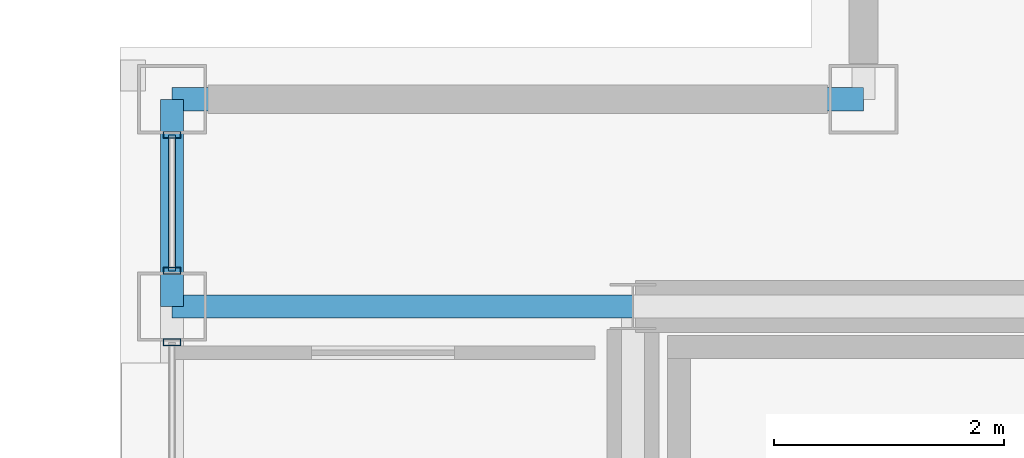
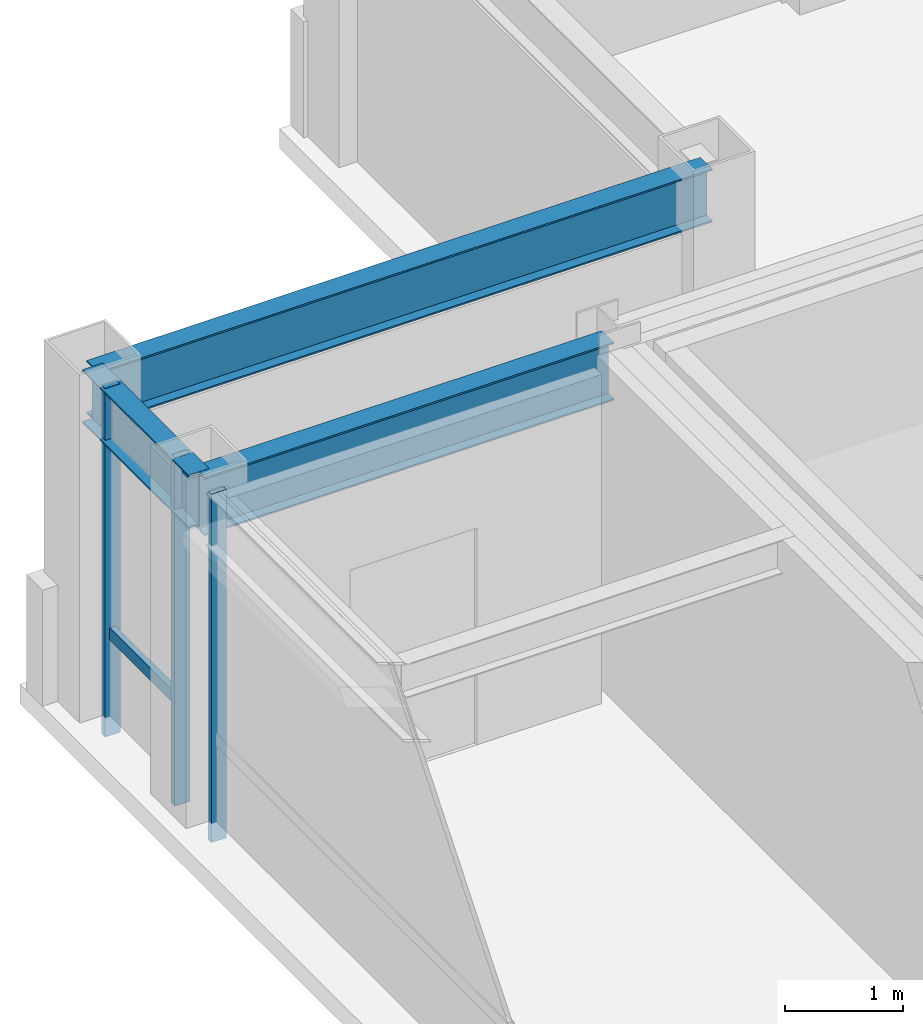
# One storey, part 11 of 24: 4 members, 3 beams, 2 elements without a shape of their own.
"""IFC4 building model written with IfcOpenShell, lengths in metres."""

from ifc_helpers import new_model, si_unit, direction, frame, origin, origin_2d, place, context, subcontext, project, spatial, hollow_rectangle, i_section, extrude, material, layer, layer_set, material_profile, profile_set, type_object, element, aggregate, save


model = new_model("IFC4")

# Units and contexts
model_context = context("Model", 3, precision=1e-05, world=origin(), true_north=direction((0.0, 1.0)))
body_context = subcontext(model_context, "Body", "Model", "MODEL_VIEW")
ifc_project = project(units=[si_unit("LENGTHUNIT", "METRE"), si_unit("AREAUNIT", "SQUARE_METRE"), si_unit("VOLUMEUNIT", "CUBIC_METRE"), si_unit("PLANEANGLEUNIT", "RADIAN"), si_unit("MASSUNIT", "GRAM", prefix="KILO")], contexts=[model_context])

# Site, building, storey
site_placement = place(None, origin())
site = spatial("IfcSite", under=ifc_project, at=site_placement, CompositionType="ELEMENT")
building_placement = place(site_placement, origin())
building = spatial("IfcBuilding", under=site, at=building_placement, Name="Brelmoor Portico Tower", CompositionType="ELEMENT")
storey_placement = place(building_placement, frame((0.0, 0.0, 261.60009765625)))
storey = spatial("IfcBuildingStorey", under=building, at=storey_placement, Name="L69", CompositionType="ELEMENT", Elevation=261.60009765625)

# Beams
ifc_material_1 = material(Name="Steel Q355B", Category="steel")
ifc_material_profile_1 = material_profile(ifc_material_1, i_section(OverallWidth=0.199951171875, OverallDepth=0.60009765625, WebThickness=0.010986328125, FlangeThickness=0.01708984375, at=origin_2d()), Name="HN 600x200x11x17")
ifc_profile_set_1 = profile_set([ifc_material_profile_1], Name="Steel Q355B")
beam_type_1 = type_object("IfcBeamType", Name="BM-PG-600", PredefinedType="BEAM", material=ifc_profile_set_1)
beam_1_placement = place(storey_placement, frame((-18.550048828125, 9.75, 3.099853515625), z_axis=(1.0, 0.0, 0.0), x_axis=(0.0, 1.0, 0.0)))
element("IfcBeam", 1, at=beam_1_placement, inside=storey, type_object=beam_type_1, Name="L69 Primary Floor Girder PG-19", PredefinedType="BEAM", context=body_context, shape_type="SweptSolid", body=[
    extrude(i_section(OverallWidth=0.199951171875, OverallDepth=0.60009765625, WebThickness=0.010986328125, FlangeThickness=0.01708984375, at=origin_2d()), origin(), (0.0, 0.0, 1.0), 4.0),
])
ifc_material_profile_2 = material_profile(ifc_material_1, i_section(OverallWidth=0.199951171875, OverallDepth=0.550048828125, WebThickness=0.010009765625, FlangeThickness=0.01611328125, at=origin_2d()), Name="HN 550x200x10x16")
ifc_profile_set_2 = profile_set([ifc_material_profile_2], Name="Steel Q355B")
beam_type_2 = type_object("IfcBeamType", Name="BM-SP-550", PredefinedType="SPANDREL", material=ifc_profile_set_2)
beam_2_placement = place(storey_placement, frame((-18.550048828125, 11.550048828125, 3.125), z_axis=(1.0, 0.0, 0.0), x_axis=(0.0, 1.0, 0.0)))
element("IfcBeam", 2, at=beam_2_placement, inside=storey, type_object=beam_type_2, Name="L69 Perimeter Spandrel Beam SP-06", PredefinedType="SPANDREL", context=body_context, shape_type="SweptSolid", body=[
    extrude(i_section(OverallWidth=0.199951171875, OverallDepth=0.550048828125, WebThickness=0.010009765625, FlangeThickness=0.01611328125, at=origin_2d()), origin(), (0.0, 0.0, 1.0), 6.0),
])
beam_3_placement = place(storey_placement, frame((-18.550048828125, 9.75, 3.125), z_axis=(0.0, 1.0, 0.0), x_axis=(-1.0, 0.0, 0.0)))
element("IfcBeam", 3, at=beam_3_placement, inside=storey, type_object=beam_type_2, Name="L69 Perimeter Spandrel Beam SP-13", PredefinedType="SPANDREL", context=body_context, shape_type="SweptSolid", body=[
    extrude(i_section(OverallWidth=0.199951171875, OverallDepth=0.550048828125, WebThickness=0.010009765625, FlangeThickness=0.01611328125, at=origin_2d()), origin(), (0.0, 0.0, 1.0), 1.800048828125),
])

# Curtain wall, member
ifc_material_2 = material(Name="Anodised Aluminium Alloy 6063-T6", Category="aluminium")
ifc_layer = layer(ifc_material_2, 0.179931640625)
ifc_layer_set = layer_set([ifc_layer], Name="Anodised Aluminium Alloy 6063-T6")
curtain_wall_type = type_object("IfcCurtainWallType", Name="CW-TOWER-Z4", PredefinedType="NOTDEFINED", material=ifc_layer_set)
curtain_wall_1_placement = place(storey_placement, origin())
curtain_wall_1 = element("IfcCurtainWall", 4, at=curtain_wall_1_placement, inside=storey, type_object=curtain_wall_type, Name="L69 Curtain Wall CW-L69-3R-1", PredefinedType="NOTDEFINED")
ifc_material_profile_3 = material_profile(ifc_material_2, hollow_rectangle(XDim=0.06005859375, YDim=0.14990234375, WallThickness=0.00390625, at=origin_2d()), Name="ALU MULLION 60x150")
ifc_profile_set_3 = profile_set([ifc_material_profile_3], Name="Anodised Aluminium Alloy 6063-T6")
member_type_1 = type_object("IfcMemberType", Name="MB-CW-MULL-150", PredefinedType="MULLION", material=ifc_profile_set_3)
member_1_placement = place(storey_placement, frame((-18.550048828125, 9.43994140625, -0.2001953125), z_axis=(0.0, 0.0, 1.0), x_axis=(0.0, 1.0, 0.0)))
member_1 = element("IfcMember", 5, at=member_1_placement, type_object=member_type_1, Name="CW-L69-3R-1 Mullion 01", PredefinedType="MULLION", context=body_context, shape_type="SweptSolid", body=[
    extrude(hollow_rectangle(XDim=0.06005859375, YDim=0.14990234375, WallThickness=0.00390625, at=origin_2d()), origin(), (0.0, 0.0, 1.0), 3.60009765625),
])
aggregate(curtain_wall_1, [member_1])

# Curtain wall, members
curtain_wall_2_placement = place(storey_placement, origin())
curtain_wall_2 = element("IfcCurtainWall", 6, at=curtain_wall_2_placement, inside=storey, type_object=curtain_wall_type, Name="L69 Curtain Wall CW-L69-3R-2", PredefinedType="NOTDEFINED")
member_2_placement = place(storey_placement, frame((-18.550048828125, 10.06005859375, -0.2001953125), z_axis=(0.0, 0.0, 1.0), x_axis=(0.0, 1.0, 0.0)))
member_2 = element("IfcMember", 7, at=member_2_placement, type_object=member_type_1, Name="CW-L69-3R-2 Mullion 00", PredefinedType="MULLION", context=body_context, shape_type="SweptSolid", body=[
    extrude(hollow_rectangle(XDim=0.06005859375, YDim=0.14990234375, WallThickness=0.00390625, at=origin_2d()), origin(), (0.0, 0.0, 1.0), 3.60009765625),
])
member_3_placement = place(storey_placement, frame((-18.550048828125, 11.239990234375, -0.2001953125), z_axis=(0.0, 0.0, 1.0), x_axis=(0.0, 1.0, 0.0)))
member_3 = element("IfcMember", 8, at=member_3_placement, type_object=member_type_1, Name="CW-L69-3R-2 Mullion 01", PredefinedType="MULLION", context=body_context, shape_type="SweptSolid", body=[
    extrude(hollow_rectangle(XDim=0.06005859375, YDim=0.14990234375, WallThickness=0.00390625, at=origin_2d()), origin(), (0.0, 0.0, 1.0), 3.60009765625),
])
ifc_material_profile_4 = material_profile(ifc_material_2, hollow_rectangle(XDim=0.06005859375, YDim=0.125, WallThickness=0.00341796875, at=origin_2d()), Name="ALU TRANSOM 60x125")
ifc_profile_set_4 = profile_set([ifc_material_profile_4], Name="Anodised Aluminium Alloy 6063-T6")
member_type_2 = type_object("IfcMemberType", Name="MB-CW-TRAN-125", PredefinedType="USERDEFINED", material=ifc_profile_set_4)
member_4_placement = place(storey_placement, frame((-18.550048828125, 10.06005859375, 0.849853515625), z_axis=(0.0, 1.0, 0.0), x_axis=(-1.0, 0.0, 0.0)))
member_4 = element("IfcMember", 9, at=member_4_placement, type_object=member_type_2, Name="CW-L69-3R-2 Transom 1-00", ObjectType="TRANSOM", PredefinedType="USERDEFINED", context=body_context, shape_type="SweptSolid", body=[
    extrude(hollow_rectangle(XDim=0.06005859375, YDim=0.125, WallThickness=0.00341796875, at=origin_2d()), origin(), (0.0, 0.0, 1.0), 1.179931640625),
])
aggregate(curtain_wall_2, [member_2, member_3, member_4])

save(model, "model.ifc")
